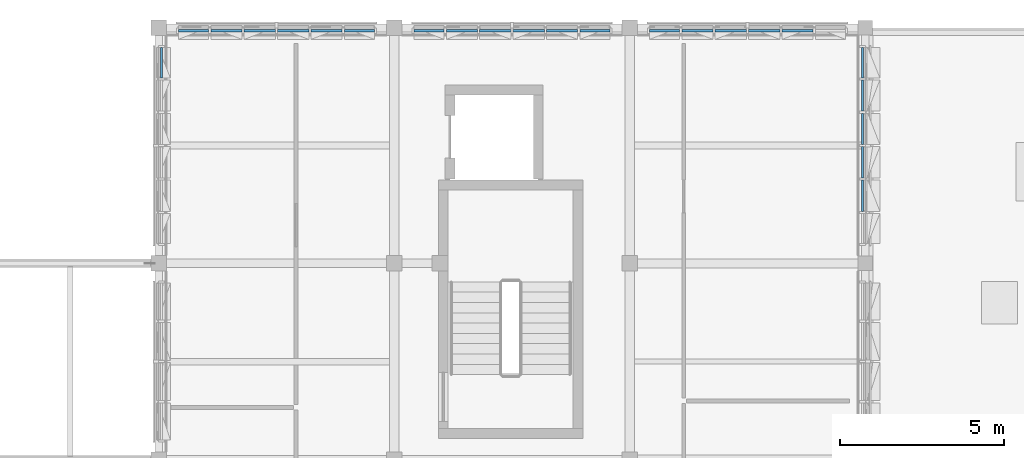
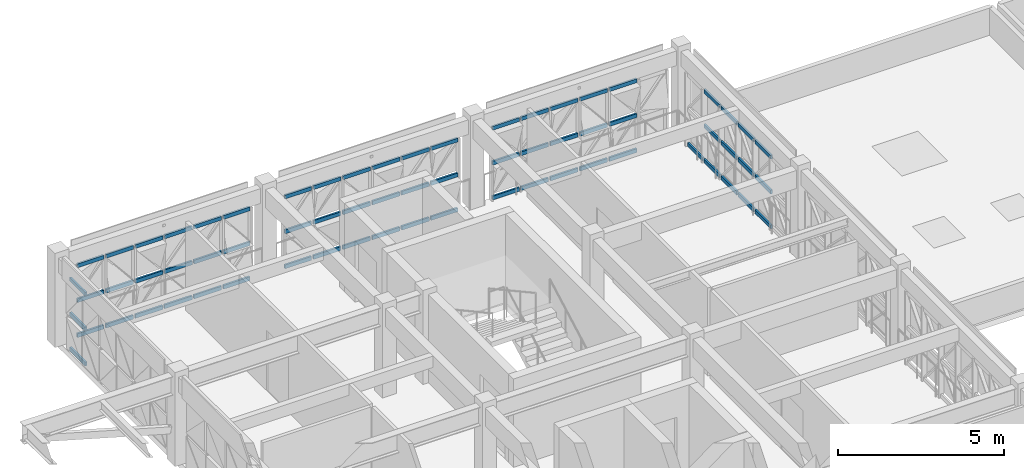
# One storey, part 10 of 30: 67 members, 5 elements without a shape of their own.
"""IFC4 building model written with IfcOpenShell, lengths in metres."""

from ifc_helpers import new_model, si_unit, direction, frame, origin, origin_2d, place, context, subcontext, project, spatial, rectangle, extrude, material, material_profile, profile_set, type_object, element, aggregate, save


model = new_model("IFC4")

# Units and contexts
model_context = context("Model", 3, precision=1e-05, world=origin(), true_north=direction((0.0, 1.0)))
body_context = subcontext(model_context, "Body", "Model", "MODEL_VIEW")
ifc_project = project(units=[si_unit("LENGTHUNIT", "METRE"), si_unit("AREAUNIT", "SQUARE_METRE"), si_unit("VOLUMEUNIT", "CUBIC_METRE"), si_unit("PLANEANGLEUNIT", "RADIAN"), si_unit("MASSUNIT", "GRAM", prefix="KILO")], contexts=[model_context])

# Site, building, storey
site_placement = place(None, origin())
site = spatial("IfcSite", under=ifc_project, at=site_placement, CompositionType="ELEMENT")
building_placement = place(site_placement, origin())
building = spatial("IfcBuilding", under=site, at=building_placement, Name="Alvorim Cloister Faculty of Sciences", CompositionType="ELEMENT")
storey_placement = place(building_placement, frame((0.0, 0.0, 26.25)))
storey = spatial("IfcBuildingStorey", under=building, at=storey_placement, Name="L07", CompositionType="ELEMENT", Elevation=26.25)

# Curtain wall, members
ifc_material_1 = material(Name="Aluminium and Low-E Glass Curtain Wall", Category="aluminium")
curtain_wall_type = type_object("IfcCurtainWallType", Name="CW-TRI-6120x2700", PredefinedType="USERDEFINED", material=ifc_material_1)
curtain_wall_1_placement = place(storey_placement, origin())
curtain_wall_1 = element("IfcCurtainWall", 1, at=curtain_wall_1_placement, inside=storey, type_object=curtain_wall_type, Name="L07 Diagonal Cassette Curtain Wall CW-0271", ObjectType="UNITISED CURTAIN WALL", PredefinedType="USERDEFINED")
ifc_material_2 = material(Name="Aluminium Alloy 6063-T6", Category="aluminium")
ifc_material_profile = material_profile(ifc_material_2, rectangle(XDim=0.06494140625, YDim=0.139892578125, at=origin_2d()), Name="ALU-TRN-65x140")
ifc_profile_set = profile_set([ifc_material_profile], Name="Aluminium Alloy 6063-T6")
member_type = type_object("IfcMemberType", Name="CW-TRN-65x140", PredefinedType="USERDEFINED", material=ifc_profile_set)
member_1_placement = place(storey_placement, frame((7.2900390625, 54.87255859375, 0.070068359375), z_axis=(0.0, 1.0, 0.0), x_axis=(-1.0, 0.0, 0.0)))
member_1 = element("IfcMember", 2, at=member_1_placement, type_object=member_type, Name="CW-0271 Transom 6.1", ObjectType="TRANSOM", PredefinedType="USERDEFINED", context=body_context, shape_type="SweptSolid", body=[
    extrude(rectangle(XDim=0.06494140625, YDim=0.139892578125, at=origin_2d()), origin(), (0.0, 0.0, 1.0), 0.92236328125),
])
member_2_placement = place(storey_placement, frame((7.2900390625, 54.87255859375, 1.35009765625), z_axis=(0.0, 1.0, 0.0), x_axis=(-1.0, 0.0, 0.0)))
member_2 = element("IfcMember", 3, at=member_2_placement, type_object=member_type, Name="CW-0271 Transom 6.2", ObjectType="TRANSOM", PredefinedType="USERDEFINED", context=body_context, shape_type="SweptSolid", body=[
    extrude(rectangle(XDim=0.06494140625, YDim=0.139892578125, at=origin_2d()), origin(), (0.0, 0.0, 1.0), 0.92236328125),
])
member_3_placement = place(storey_placement, frame((7.2900390625, 54.87255859375, 2.6298828125), z_axis=(0.0, 1.0, 0.0), x_axis=(-1.0, 0.0, 0.0)))
member_3 = element("IfcMember", 4, at=member_3_placement, type_object=member_type, Name="CW-0271 Transom 6.3", ObjectType="TRANSOM", PredefinedType="USERDEFINED", context=body_context, shape_type="SweptSolid", body=[
    extrude(rectangle(XDim=0.06494140625, YDim=0.139892578125, at=origin_2d()), origin(), (0.0, 0.0, 1.0), 0.92236328125),
])
aggregate(curtain_wall_1, [member_1, member_2, member_3])

curtain_wall_2_placement = place(storey_placement, origin())
curtain_wall_2 = element("IfcCurtainWall", 5, at=curtain_wall_2_placement, inside=storey, type_object=curtain_wall_type, Name="L07 Diagonal Cassette Curtain Wall CW-0272", ObjectType="UNITISED CURTAIN WALL", PredefinedType="USERDEFINED")
member_4_placement = place(storey_placement, frame((7.804931640625, 56.31005859375, 0.070068359375), z_axis=(1.0, 0.0, 0.0), x_axis=(0.0, 1.0, 0.0)))
member_4 = element("IfcMember", 6, at=member_4_placement, type_object=member_type, Name="CW-0272 Transom 1.1", ObjectType="TRANSOM", PredefinedType="USERDEFINED", context=body_context, shape_type="SweptSolid", body=[
    extrude(rectangle(XDim=0.06494140625, YDim=0.139892578125, at=origin_2d()), origin(), (0.0, 0.0, 1.0), 0.922607421875),
])
member_5_placement = place(storey_placement, frame((7.804931640625, 56.31005859375, 1.35009765625), z_axis=(1.0, 0.0, 0.0), x_axis=(0.0, 1.0, 0.0)))
member_5 = element("IfcMember", 7, at=member_5_placement, type_object=member_type, Name="CW-0272 Transom 1.2", ObjectType="TRANSOM", PredefinedType="USERDEFINED", context=body_context, shape_type="SweptSolid", body=[
    extrude(rectangle(XDim=0.06494140625, YDim=0.139892578125, at=origin_2d()), origin(), (0.0, 0.0, 1.0), 0.922607421875),
])
member_6_placement = place(storey_placement, frame((7.804931640625, 56.31005859375, 2.6298828125), z_axis=(1.0, 0.0, 0.0), x_axis=(0.0, 1.0, 0.0)))
member_6 = element("IfcMember", 8, at=member_6_placement, type_object=member_type, Name="CW-0272 Transom 1.3", ObjectType="TRANSOM", PredefinedType="USERDEFINED", context=body_context, shape_type="SweptSolid", body=[
    extrude(rectangle(XDim=0.06494140625, YDim=0.139892578125, at=origin_2d()), origin(), (0.0, 0.0, 1.0), 0.922607421875),
])
member_7_placement = place(storey_placement, frame((8.79248046875, 56.31005859375, 0.070068359375), z_axis=(1.0, 0.0, 0.0), x_axis=(0.0, 1.0, 0.0)))
member_7 = element("IfcMember", 9, at=member_7_placement, type_object=member_type, Name="CW-0272 Transom 2.1", ObjectType="TRANSOM", PredefinedType="USERDEFINED", context=body_context, shape_type="SweptSolid", body=[
    extrude(rectangle(XDim=0.06494140625, YDim=0.139892578125, at=origin_2d()), origin(), (0.0, 0.0, 1.0), 0.955078125),
])
member_8_placement = place(storey_placement, frame((8.79248046875, 56.31005859375, 1.35009765625), z_axis=(1.0, 0.0, 0.0), x_axis=(0.0, 1.0, 0.0)))
member_8 = element("IfcMember", 10, at=member_8_placement, type_object=member_type, Name="CW-0272 Transom 2.2", ObjectType="TRANSOM", PredefinedType="USERDEFINED", context=body_context, shape_type="SweptSolid", body=[
    extrude(rectangle(XDim=0.06494140625, YDim=0.139892578125, at=origin_2d()), origin(), (0.0, 0.0, 1.0), 0.955078125),
])
member_9_placement = place(storey_placement, frame((8.79248046875, 56.31005859375, 2.6298828125), z_axis=(1.0, 0.0, 0.0), x_axis=(0.0, 1.0, 0.0)))
member_9 = element("IfcMember", 11, at=member_9_placement, type_object=member_type, Name="CW-0272 Transom 2.3", ObjectType="TRANSOM", PredefinedType="USERDEFINED", context=body_context, shape_type="SweptSolid", body=[
    extrude(rectangle(XDim=0.06494140625, YDim=0.139892578125, at=origin_2d()), origin(), (0.0, 0.0, 1.0), 0.955078125),
])
member_10_placement = place(storey_placement, frame((9.8125, 56.31005859375, 0.070068359375), z_axis=(1.0, 0.0, 0.0), x_axis=(0.0, 1.0, 0.0)))
member_10 = element("IfcMember", 12, at=member_10_placement, type_object=member_type, Name="CW-0272 Transom 3.1", ObjectType="TRANSOM", PredefinedType="USERDEFINED", context=body_context, shape_type="SweptSolid", body=[
    extrude(rectangle(XDim=0.06494140625, YDim=0.139892578125, at=origin_2d()), origin(), (0.0, 0.0, 1.0), 0.955078125),
])
member_11_placement = place(storey_placement, frame((9.8125, 56.31005859375, 1.35009765625), z_axis=(1.0, 0.0, 0.0), x_axis=(0.0, 1.0, 0.0)))
member_11 = element("IfcMember", 13, at=member_11_placement, type_object=member_type, Name="CW-0272 Transom 3.2", ObjectType="TRANSOM", PredefinedType="USERDEFINED", context=body_context, shape_type="SweptSolid", body=[
    extrude(rectangle(XDim=0.06494140625, YDim=0.139892578125, at=origin_2d()), origin(), (0.0, 0.0, 1.0), 0.955078125),
])
member_12_placement = place(storey_placement, frame((9.8125, 56.31005859375, 2.6298828125), z_axis=(1.0, 0.0, 0.0), x_axis=(0.0, 1.0, 0.0)))
member_12 = element("IfcMember", 14, at=member_12_placement, type_object=member_type, Name="CW-0272 Transom 3.3", ObjectType="TRANSOM", PredefinedType="USERDEFINED", context=body_context, shape_type="SweptSolid", body=[
    extrude(rectangle(XDim=0.06494140625, YDim=0.139892578125, at=origin_2d()), origin(), (0.0, 0.0, 1.0), 0.955078125),
])
member_13_placement = place(storey_placement, frame((10.83251953125, 56.31005859375, 0.070068359375), z_axis=(1.0, 0.0, 0.0), x_axis=(0.0, 1.0, 0.0)))
member_13 = element("IfcMember", 15, at=member_13_placement, type_object=member_type, Name="CW-0272 Transom 4.1", ObjectType="TRANSOM", PredefinedType="USERDEFINED", context=body_context, shape_type="SweptSolid", body=[
    extrude(rectangle(XDim=0.06494140625, YDim=0.139892578125, at=origin_2d()), origin(), (0.0, 0.0, 1.0), 0.955078125),
])
member_14_placement = place(storey_placement, frame((10.83251953125, 56.31005859375, 1.35009765625), z_axis=(1.0, 0.0, 0.0), x_axis=(0.0, 1.0, 0.0)))
member_14 = element("IfcMember", 16, at=member_14_placement, type_object=member_type, Name="CW-0272 Transom 4.2", ObjectType="TRANSOM", PredefinedType="USERDEFINED", context=body_context, shape_type="SweptSolid", body=[
    extrude(rectangle(XDim=0.06494140625, YDim=0.139892578125, at=origin_2d()), origin(), (0.0, 0.0, 1.0), 0.955078125),
])
member_15_placement = place(storey_placement, frame((10.83251953125, 56.31005859375, 2.6298828125), z_axis=(1.0, 0.0, 0.0), x_axis=(0.0, 1.0, 0.0)))
member_15 = element("IfcMember", 17, at=member_15_placement, type_object=member_type, Name="CW-0272 Transom 4.3", ObjectType="TRANSOM", PredefinedType="USERDEFINED", context=body_context, shape_type="SweptSolid", body=[
    extrude(rectangle(XDim=0.06494140625, YDim=0.139892578125, at=origin_2d()), origin(), (0.0, 0.0, 1.0), 0.955078125),
])
member_16_placement = place(storey_placement, frame((11.8525390625, 56.31005859375, 0.070068359375), z_axis=(1.0, 0.0, 0.0), x_axis=(0.0, 1.0, 0.0)))
member_16 = element("IfcMember", 18, at=member_16_placement, type_object=member_type, Name="CW-0272 Transom 5.1", ObjectType="TRANSOM", PredefinedType="USERDEFINED", context=body_context, shape_type="SweptSolid", body=[
    extrude(rectangle(XDim=0.06494140625, YDim=0.139892578125, at=origin_2d()), origin(), (0.0, 0.0, 1.0), 0.955078125),
])
member_17_placement = place(storey_placement, frame((11.8525390625, 56.31005859375, 1.35009765625), z_axis=(1.0, 0.0, 0.0), x_axis=(0.0, 1.0, 0.0)))
member_17 = element("IfcMember", 19, at=member_17_placement, type_object=member_type, Name="CW-0272 Transom 5.2", ObjectType="TRANSOM", PredefinedType="USERDEFINED", context=body_context, shape_type="SweptSolid", body=[
    extrude(rectangle(XDim=0.06494140625, YDim=0.139892578125, at=origin_2d()), origin(), (0.0, 0.0, 1.0), 0.955078125),
])
member_18_placement = place(storey_placement, frame((11.8525390625, 56.31005859375, 2.6298828125), z_axis=(1.0, 0.0, 0.0), x_axis=(0.0, 1.0, 0.0)))
member_18 = element("IfcMember", 20, at=member_18_placement, type_object=member_type, Name="CW-0272 Transom 5.3", ObjectType="TRANSOM", PredefinedType="USERDEFINED", context=body_context, shape_type="SweptSolid", body=[
    extrude(rectangle(XDim=0.06494140625, YDim=0.139892578125, at=origin_2d()), origin(), (0.0, 0.0, 1.0), 0.955078125),
])
member_19_placement = place(storey_placement, frame((12.87255859375, 56.31005859375, 0.070068359375), z_axis=(1.0, 0.0, 0.0), x_axis=(0.0, 1.0, 0.0)))
member_19 = element("IfcMember", 21, at=member_19_placement, type_object=member_type, Name="CW-0272 Transom 6.1", ObjectType="TRANSOM", PredefinedType="USERDEFINED", context=body_context, shape_type="SweptSolid", body=[
    extrude(rectangle(XDim=0.06494140625, YDim=0.139892578125, at=origin_2d()), origin(), (0.0, 0.0, 1.0), 0.92236328125),
])
member_20_placement = place(storey_placement, frame((12.87255859375, 56.31005859375, 1.35009765625), z_axis=(1.0, 0.0, 0.0), x_axis=(0.0, 1.0, 0.0)))
member_20 = element("IfcMember", 22, at=member_20_placement, type_object=member_type, Name="CW-0272 Transom 6.2", ObjectType="TRANSOM", PredefinedType="USERDEFINED", context=body_context, shape_type="SweptSolid", body=[
    extrude(rectangle(XDim=0.06494140625, YDim=0.139892578125, at=origin_2d()), origin(), (0.0, 0.0, 1.0), 0.92236328125),
])
member_21_placement = place(storey_placement, frame((12.87255859375, 56.31005859375, 2.6298828125), z_axis=(1.0, 0.0, 0.0), x_axis=(0.0, 1.0, 0.0)))
member_21 = element("IfcMember", 23, at=member_21_placement, type_object=member_type, Name="CW-0272 Transom 6.3", ObjectType="TRANSOM", PredefinedType="USERDEFINED", context=body_context, shape_type="SweptSolid", body=[
    extrude(rectangle(XDim=0.06494140625, YDim=0.139892578125, at=origin_2d()), origin(), (0.0, 0.0, 1.0), 0.92236328125),
])
aggregate(curtain_wall_2, [member_4, member_5, member_6, member_7, member_8, member_9, member_10, member_11, member_12, member_13, member_14, member_15, member_16, member_17, member_18, member_19, member_20, member_21])

curtain_wall_3_placement = place(storey_placement, origin())
curtain_wall_3 = element("IfcCurtainWall", 24, at=curtain_wall_3_placement, inside=storey, type_object=curtain_wall_type, Name="L07 Diagonal Cassette Curtain Wall CW-0273", ObjectType="UNITISED CURTAIN WALL", PredefinedType="USERDEFINED")
member_22_placement = place(storey_placement, frame((15.0048828125, 56.31005859375, 0.070068359375), z_axis=(1.0, 0.0, 0.0), x_axis=(0.0, 1.0, 0.0)))
member_22 = element("IfcMember", 25, at=member_22_placement, type_object=member_type, Name="CW-0273 Transom 1.1", ObjectType="TRANSOM", PredefinedType="USERDEFINED", context=body_context, shape_type="SweptSolid", body=[
    extrude(rectangle(XDim=0.06494140625, YDim=0.139892578125, at=origin_2d()), origin(), (0.0, 0.0, 1.0), 0.922607421875),
])
member_23_placement = place(storey_placement, frame((15.0048828125, 56.31005859375, 1.35009765625), z_axis=(1.0, 0.0, 0.0), x_axis=(0.0, 1.0, 0.0)))
member_23 = element("IfcMember", 26, at=member_23_placement, type_object=member_type, Name="CW-0273 Transom 1.2", ObjectType="TRANSOM", PredefinedType="USERDEFINED", context=body_context, shape_type="SweptSolid", body=[
    extrude(rectangle(XDim=0.06494140625, YDim=0.139892578125, at=origin_2d()), origin(), (0.0, 0.0, 1.0), 0.922607421875),
])
member_24_placement = place(storey_placement, frame((15.0048828125, 56.31005859375, 2.6298828125), z_axis=(1.0, 0.0, 0.0), x_axis=(0.0, 1.0, 0.0)))
member_24 = element("IfcMember", 27, at=member_24_placement, type_object=member_type, Name="CW-0273 Transom 1.3", ObjectType="TRANSOM", PredefinedType="USERDEFINED", context=body_context, shape_type="SweptSolid", body=[
    extrude(rectangle(XDim=0.06494140625, YDim=0.139892578125, at=origin_2d()), origin(), (0.0, 0.0, 1.0), 0.922607421875),
])
member_25_placement = place(storey_placement, frame((15.992431640625, 56.31005859375, 0.070068359375), z_axis=(1.0, 0.0, 0.0), x_axis=(0.0, 1.0, 0.0)))
member_25 = element("IfcMember", 28, at=member_25_placement, type_object=member_type, Name="CW-0273 Transom 2.1", ObjectType="TRANSOM", PredefinedType="USERDEFINED", context=body_context, shape_type="SweptSolid", body=[
    extrude(rectangle(XDim=0.06494140625, YDim=0.139892578125, at=origin_2d()), origin(), (0.0, 0.0, 1.0), 0.955078125),
])
member_26_placement = place(storey_placement, frame((15.992431640625, 56.31005859375, 1.35009765625), z_axis=(1.0, 0.0, 0.0), x_axis=(0.0, 1.0, 0.0)))
member_26 = element("IfcMember", 29, at=member_26_placement, type_object=member_type, Name="CW-0273 Transom 2.2", ObjectType="TRANSOM", PredefinedType="USERDEFINED", context=body_context, shape_type="SweptSolid", body=[
    extrude(rectangle(XDim=0.06494140625, YDim=0.139892578125, at=origin_2d()), origin(), (0.0, 0.0, 1.0), 0.955078125),
])
member_27_placement = place(storey_placement, frame((15.992431640625, 56.31005859375, 2.6298828125), z_axis=(1.0, 0.0, 0.0), x_axis=(0.0, 1.0, 0.0)))
member_27 = element("IfcMember", 30, at=member_27_placement, type_object=member_type, Name="CW-0273 Transom 2.3", ObjectType="TRANSOM", PredefinedType="USERDEFINED", context=body_context, shape_type="SweptSolid", body=[
    extrude(rectangle(XDim=0.06494140625, YDim=0.139892578125, at=origin_2d()), origin(), (0.0, 0.0, 1.0), 0.955078125),
])
member_28_placement = place(storey_placement, frame((17.012451171875, 56.31005859375, 0.070068359375), z_axis=(1.0, 0.0, 0.0), x_axis=(0.0, 1.0, 0.0)))
member_28 = element("IfcMember", 31, at=member_28_placement, type_object=member_type, Name="CW-0273 Transom 3.1", ObjectType="TRANSOM", PredefinedType="USERDEFINED", context=body_context, shape_type="SweptSolid", body=[
    extrude(rectangle(XDim=0.06494140625, YDim=0.139892578125, at=origin_2d()), origin(), (0.0, 0.0, 1.0), 0.955078125),
])
member_29_placement = place(storey_placement, frame((17.012451171875, 56.31005859375, 1.35009765625), z_axis=(1.0, 0.0, 0.0), x_axis=(0.0, 1.0, 0.0)))
member_29 = element("IfcMember", 32, at=member_29_placement, type_object=member_type, Name="CW-0273 Transom 3.2", ObjectType="TRANSOM", PredefinedType="USERDEFINED", context=body_context, shape_type="SweptSolid", body=[
    extrude(rectangle(XDim=0.06494140625, YDim=0.139892578125, at=origin_2d()), origin(), (0.0, 0.0, 1.0), 0.955078125),
])
member_30_placement = place(storey_placement, frame((17.012451171875, 56.31005859375, 2.6298828125), z_axis=(1.0, 0.0, 0.0), x_axis=(0.0, 1.0, 0.0)))
member_30 = element("IfcMember", 33, at=member_30_placement, type_object=member_type, Name="CW-0273 Transom 3.3", ObjectType="TRANSOM", PredefinedType="USERDEFINED", context=body_context, shape_type="SweptSolid", body=[
    extrude(rectangle(XDim=0.06494140625, YDim=0.139892578125, at=origin_2d()), origin(), (0.0, 0.0, 1.0), 0.955078125),
])
member_31_placement = place(storey_placement, frame((18.032470703125, 56.31005859375, 0.070068359375), z_axis=(1.0, 0.0, 0.0), x_axis=(0.0, 1.0, 0.0)))
member_31 = element("IfcMember", 34, at=member_31_placement, type_object=member_type, Name="CW-0273 Transom 4.1", ObjectType="TRANSOM", PredefinedType="USERDEFINED", context=body_context, shape_type="SweptSolid", body=[
    extrude(rectangle(XDim=0.06494140625, YDim=0.139892578125, at=origin_2d()), origin(), (0.0, 0.0, 1.0), 0.955078125),
])
member_32_placement = place(storey_placement, frame((18.032470703125, 56.31005859375, 1.35009765625), z_axis=(1.0, 0.0, 0.0), x_axis=(0.0, 1.0, 0.0)))
member_32 = element("IfcMember", 35, at=member_32_placement, type_object=member_type, Name="CW-0273 Transom 4.2", ObjectType="TRANSOM", PredefinedType="USERDEFINED", context=body_context, shape_type="SweptSolid", body=[
    extrude(rectangle(XDim=0.06494140625, YDim=0.139892578125, at=origin_2d()), origin(), (0.0, 0.0, 1.0), 0.955078125),
])
member_33_placement = place(storey_placement, frame((18.032470703125, 56.31005859375, 2.6298828125), z_axis=(1.0, 0.0, 0.0), x_axis=(0.0, 1.0, 0.0)))
member_33 = element("IfcMember", 36, at=member_33_placement, type_object=member_type, Name="CW-0273 Transom 4.3", ObjectType="TRANSOM", PredefinedType="USERDEFINED", context=body_context, shape_type="SweptSolid", body=[
    extrude(rectangle(XDim=0.06494140625, YDim=0.139892578125, at=origin_2d()), origin(), (0.0, 0.0, 1.0), 0.955078125),
])
member_34_placement = place(storey_placement, frame((19.052490234375, 56.31005859375, 0.070068359375), z_axis=(1.0, 0.0, 0.0), x_axis=(0.0, 1.0, 0.0)))
member_34 = element("IfcMember", 37, at=member_34_placement, type_object=member_type, Name="CW-0273 Transom 5.1", ObjectType="TRANSOM", PredefinedType="USERDEFINED", context=body_context, shape_type="SweptSolid", body=[
    extrude(rectangle(XDim=0.06494140625, YDim=0.139892578125, at=origin_2d()), origin(), (0.0, 0.0, 1.0), 0.955078125),
])
member_35_placement = place(storey_placement, frame((19.052490234375, 56.31005859375, 1.35009765625), z_axis=(1.0, 0.0, 0.0), x_axis=(0.0, 1.0, 0.0)))
member_35 = element("IfcMember", 38, at=member_35_placement, type_object=member_type, Name="CW-0273 Transom 5.2", ObjectType="TRANSOM", PredefinedType="USERDEFINED", context=body_context, shape_type="SweptSolid", body=[
    extrude(rectangle(XDim=0.06494140625, YDim=0.139892578125, at=origin_2d()), origin(), (0.0, 0.0, 1.0), 0.955078125),
])
member_36_placement = place(storey_placement, frame((19.052490234375, 56.31005859375, 2.6298828125), z_axis=(1.0, 0.0, 0.0), x_axis=(0.0, 1.0, 0.0)))
member_36 = element("IfcMember", 39, at=member_36_placement, type_object=member_type, Name="CW-0273 Transom 5.3", ObjectType="TRANSOM", PredefinedType="USERDEFINED", context=body_context, shape_type="SweptSolid", body=[
    extrude(rectangle(XDim=0.06494140625, YDim=0.139892578125, at=origin_2d()), origin(), (0.0, 0.0, 1.0), 0.955078125),
])
member_37_placement = place(storey_placement, frame((20.072509765625, 56.31005859375, 0.070068359375), z_axis=(1.0, 0.0, 0.0), x_axis=(0.0, 1.0, 0.0)))
member_37 = element("IfcMember", 40, at=member_37_placement, type_object=member_type, Name="CW-0273 Transom 6.1", ObjectType="TRANSOM", PredefinedType="USERDEFINED", context=body_context, shape_type="SweptSolid", body=[
    extrude(rectangle(XDim=0.06494140625, YDim=0.139892578125, at=origin_2d()), origin(), (0.0, 0.0, 1.0), 0.922607421875),
])
member_38_placement = place(storey_placement, frame((20.072509765625, 56.31005859375, 1.35009765625), z_axis=(1.0, 0.0, 0.0), x_axis=(0.0, 1.0, 0.0)))
member_38 = element("IfcMember", 41, at=member_38_placement, type_object=member_type, Name="CW-0273 Transom 6.2", ObjectType="TRANSOM", PredefinedType="USERDEFINED", context=body_context, shape_type="SweptSolid", body=[
    extrude(rectangle(XDim=0.06494140625, YDim=0.139892578125, at=origin_2d()), origin(), (0.0, 0.0, 1.0), 0.922607421875),
])
member_39_placement = place(storey_placement, frame((20.072509765625, 56.31005859375, 2.6298828125), z_axis=(1.0, 0.0, 0.0), x_axis=(0.0, 1.0, 0.0)))
member_39 = element("IfcMember", 42, at=member_39_placement, type_object=member_type, Name="CW-0273 Transom 6.3", ObjectType="TRANSOM", PredefinedType="USERDEFINED", context=body_context, shape_type="SweptSolid", body=[
    extrude(rectangle(XDim=0.06494140625, YDim=0.139892578125, at=origin_2d()), origin(), (0.0, 0.0, 1.0), 0.922607421875),
])
aggregate(curtain_wall_3, [member_22, member_23, member_24, member_25, member_26, member_27, member_28, member_29, member_30, member_31, member_32, member_33, member_34, member_35, member_36, member_37, member_38, member_39])

curtain_wall_4_placement = place(storey_placement, origin())
curtain_wall_4 = element("IfcCurtainWall", 43, at=curtain_wall_4_placement, inside=storey, type_object=curtain_wall_type, Name="L07 Diagonal Cassette Curtain Wall CW-0274", ObjectType="UNITISED CURTAIN WALL", PredefinedType="USERDEFINED")
member_40_placement = place(storey_placement, frame((22.205078125, 56.31005859375, 0.070068359375), z_axis=(1.0, 0.0, 0.0), x_axis=(0.0, 1.0, 0.0)))
member_40 = element("IfcMember", 44, at=member_40_placement, type_object=member_type, Name="CW-0274 Transom 1.1", ObjectType="TRANSOM", PredefinedType="USERDEFINED", context=body_context, shape_type="SweptSolid", body=[
    extrude(rectangle(XDim=0.06494140625, YDim=0.139892578125, at=origin_2d()), origin(), (0.0, 0.0, 1.0), 0.92236328125),
])
member_41_placement = place(storey_placement, frame((22.205078125, 56.31005859375, 1.35009765625), z_axis=(1.0, 0.0, 0.0), x_axis=(0.0, 1.0, 0.0)))
member_41 = element("IfcMember", 45, at=member_41_placement, type_object=member_type, Name="CW-0274 Transom 1.2", ObjectType="TRANSOM", PredefinedType="USERDEFINED", context=body_context, shape_type="SweptSolid", body=[
    extrude(rectangle(XDim=0.06494140625, YDim=0.139892578125, at=origin_2d()), origin(), (0.0, 0.0, 1.0), 0.92236328125),
])
member_42_placement = place(storey_placement, frame((22.205078125, 56.31005859375, 2.6298828125), z_axis=(1.0, 0.0, 0.0), x_axis=(0.0, 1.0, 0.0)))
member_42 = element("IfcMember", 46, at=member_42_placement, type_object=member_type, Name="CW-0274 Transom 1.3", ObjectType="TRANSOM", PredefinedType="USERDEFINED", context=body_context, shape_type="SweptSolid", body=[
    extrude(rectangle(XDim=0.06494140625, YDim=0.139892578125, at=origin_2d()), origin(), (0.0, 0.0, 1.0), 0.92236328125),
])
member_43_placement = place(storey_placement, frame((23.1923828125, 56.31005859375, 0.070068359375), z_axis=(1.0, 0.0, 0.0), x_axis=(0.0, 1.0, 0.0)))
member_43 = element("IfcMember", 47, at=member_43_placement, type_object=member_type, Name="CW-0274 Transom 2.1", ObjectType="TRANSOM", PredefinedType="USERDEFINED", context=body_context, shape_type="SweptSolid", body=[
    extrude(rectangle(XDim=0.06494140625, YDim=0.139892578125, at=origin_2d()), origin(), (0.0, 0.0, 1.0), 0.955078125),
])
member_44_placement = place(storey_placement, frame((23.1923828125, 56.31005859375, 1.35009765625), z_axis=(1.0, 0.0, 0.0), x_axis=(0.0, 1.0, 0.0)))
member_44 = element("IfcMember", 48, at=member_44_placement, type_object=member_type, Name="CW-0274 Transom 2.2", ObjectType="TRANSOM", PredefinedType="USERDEFINED", context=body_context, shape_type="SweptSolid", body=[
    extrude(rectangle(XDim=0.06494140625, YDim=0.139892578125, at=origin_2d()), origin(), (0.0, 0.0, 1.0), 0.955078125),
])
member_45_placement = place(storey_placement, frame((23.1923828125, 56.31005859375, 2.6298828125), z_axis=(1.0, 0.0, 0.0), x_axis=(0.0, 1.0, 0.0)))
member_45 = element("IfcMember", 49, at=member_45_placement, type_object=member_type, Name="CW-0274 Transom 2.3", ObjectType="TRANSOM", PredefinedType="USERDEFINED", context=body_context, shape_type="SweptSolid", body=[
    extrude(rectangle(XDim=0.06494140625, YDim=0.139892578125, at=origin_2d()), origin(), (0.0, 0.0, 1.0), 0.955078125),
])
member_46_placement = place(storey_placement, frame((24.21240234375, 56.31005859375, 0.070068359375), z_axis=(1.0, 0.0, 0.0), x_axis=(0.0, 1.0, 0.0)))
member_46 = element("IfcMember", 50, at=member_46_placement, type_object=member_type, Name="CW-0274 Transom 3.1", ObjectType="TRANSOM", PredefinedType="USERDEFINED", context=body_context, shape_type="SweptSolid", body=[
    extrude(rectangle(XDim=0.06494140625, YDim=0.139892578125, at=origin_2d()), origin(), (0.0, 0.0, 1.0), 0.955078125),
])
member_47_placement = place(storey_placement, frame((24.21240234375, 56.31005859375, 1.35009765625), z_axis=(1.0, 0.0, 0.0), x_axis=(0.0, 1.0, 0.0)))
member_47 = element("IfcMember", 51, at=member_47_placement, type_object=member_type, Name="CW-0274 Transom 3.2", ObjectType="TRANSOM", PredefinedType="USERDEFINED", context=body_context, shape_type="SweptSolid", body=[
    extrude(rectangle(XDim=0.06494140625, YDim=0.139892578125, at=origin_2d()), origin(), (0.0, 0.0, 1.0), 0.955078125),
])
member_48_placement = place(storey_placement, frame((24.21240234375, 56.31005859375, 2.6298828125), z_axis=(1.0, 0.0, 0.0), x_axis=(0.0, 1.0, 0.0)))
member_48 = element("IfcMember", 52, at=member_48_placement, type_object=member_type, Name="CW-0274 Transom 3.3", ObjectType="TRANSOM", PredefinedType="USERDEFINED", context=body_context, shape_type="SweptSolid", body=[
    extrude(rectangle(XDim=0.06494140625, YDim=0.139892578125, at=origin_2d()), origin(), (0.0, 0.0, 1.0), 0.955078125),
])
member_49_placement = place(storey_placement, frame((25.232421875, 56.31005859375, 0.070068359375), z_axis=(1.0, 0.0, 0.0), x_axis=(0.0, 1.0, 0.0)))
member_49 = element("IfcMember", 53, at=member_49_placement, type_object=member_type, Name="CW-0274 Transom 4.1", ObjectType="TRANSOM", PredefinedType="USERDEFINED", context=body_context, shape_type="SweptSolid", body=[
    extrude(rectangle(XDim=0.06494140625, YDim=0.139892578125, at=origin_2d()), origin(), (0.0, 0.0, 1.0), 0.955078125),
])
member_50_placement = place(storey_placement, frame((25.232421875, 56.31005859375, 1.35009765625), z_axis=(1.0, 0.0, 0.0), x_axis=(0.0, 1.0, 0.0)))
member_50 = element("IfcMember", 54, at=member_50_placement, type_object=member_type, Name="CW-0274 Transom 4.2", ObjectType="TRANSOM", PredefinedType="USERDEFINED", context=body_context, shape_type="SweptSolid", body=[
    extrude(rectangle(XDim=0.06494140625, YDim=0.139892578125, at=origin_2d()), origin(), (0.0, 0.0, 1.0), 0.955078125),
])
member_51_placement = place(storey_placement, frame((25.232421875, 56.31005859375, 2.6298828125), z_axis=(1.0, 0.0, 0.0), x_axis=(0.0, 1.0, 0.0)))
member_51 = element("IfcMember", 55, at=member_51_placement, type_object=member_type, Name="CW-0274 Transom 4.3", ObjectType="TRANSOM", PredefinedType="USERDEFINED", context=body_context, shape_type="SweptSolid", body=[
    extrude(rectangle(XDim=0.06494140625, YDim=0.139892578125, at=origin_2d()), origin(), (0.0, 0.0, 1.0), 0.955078125),
])
member_52_placement = place(storey_placement, frame((26.25244140625, 56.31005859375, 0.070068359375), z_axis=(1.0, 0.0, 0.0), x_axis=(0.0, 1.0, 0.0)))
member_52 = element("IfcMember", 56, at=member_52_placement, type_object=member_type, Name="CW-0274 Transom 5.1", ObjectType="TRANSOM", PredefinedType="USERDEFINED", context=body_context, shape_type="SweptSolid", body=[
    extrude(rectangle(XDim=0.06494140625, YDim=0.139892578125, at=origin_2d()), origin(), (0.0, 0.0, 1.0), 0.955078125),
])
member_53_placement = place(storey_placement, frame((26.25244140625, 56.31005859375, 1.35009765625), z_axis=(1.0, 0.0, 0.0), x_axis=(0.0, 1.0, 0.0)))
member_53 = element("IfcMember", 57, at=member_53_placement, type_object=member_type, Name="CW-0274 Transom 5.2", ObjectType="TRANSOM", PredefinedType="USERDEFINED", context=body_context, shape_type="SweptSolid", body=[
    extrude(rectangle(XDim=0.06494140625, YDim=0.139892578125, at=origin_2d()), origin(), (0.0, 0.0, 1.0), 0.955078125),
])
member_54_placement = place(storey_placement, frame((26.25244140625, 56.31005859375, 2.6298828125), z_axis=(1.0, 0.0, 0.0), x_axis=(0.0, 1.0, 0.0)))
member_54 = element("IfcMember", 58, at=member_54_placement, type_object=member_type, Name="CW-0274 Transom 5.3", ObjectType="TRANSOM", PredefinedType="USERDEFINED", context=body_context, shape_type="SweptSolid", body=[
    extrude(rectangle(XDim=0.06494140625, YDim=0.139892578125, at=origin_2d()), origin(), (0.0, 0.0, 1.0), 0.955078125),
])
aggregate(curtain_wall_4, [member_40, member_41, member_42, member_43, member_44, member_45, member_46, member_47, member_48, member_49, member_50, member_51, member_52, member_53, member_54])

curtain_wall_5_placement = place(storey_placement, origin())
curtain_wall_5 = element("IfcCurtainWall", 59, at=curtain_wall_5_placement, inside=storey, type_object=curtain_wall_type, Name="L07 Diagonal Cassette Curtain Wall CW-0275", ObjectType="UNITISED CURTAIN WALL", PredefinedType="USERDEFINED")
member_55_placement = place(storey_placement, frame((28.7099609375, 50.79248046875, 0.070068359375), z_axis=(0.0, 1.0, 0.0), x_axis=(-1.0, 0.0, 0.0)))
member_55 = element("IfcMember", 60, at=member_55_placement, type_object=member_type, Name="CW-0275 Transom 2.1", ObjectType="TRANSOM", PredefinedType="USERDEFINED", context=body_context, shape_type="SweptSolid", body=[
    extrude(rectangle(XDim=0.06494140625, YDim=0.139892578125, at=origin_2d()), origin(), (0.0, 0.0, 1.0), 0.955078125),
])
member_56_placement = place(storey_placement, frame((28.7099609375, 50.79248046875, 1.35009765625), z_axis=(0.0, 1.0, 0.0), x_axis=(-1.0, 0.0, 0.0)))
member_56 = element("IfcMember", 61, at=member_56_placement, type_object=member_type, Name="CW-0275 Transom 2.2", ObjectType="TRANSOM", PredefinedType="USERDEFINED", context=body_context, shape_type="SweptSolid", body=[
    extrude(rectangle(XDim=0.06494140625, YDim=0.139892578125, at=origin_2d()), origin(), (0.0, 0.0, 1.0), 0.955078125),
])
member_57_placement = place(storey_placement, frame((28.7099609375, 50.79248046875, 2.6298828125), z_axis=(0.0, 1.0, 0.0), x_axis=(-1.0, 0.0, 0.0)))
member_57 = element("IfcMember", 62, at=member_57_placement, type_object=member_type, Name="CW-0275 Transom 2.3", ObjectType="TRANSOM", PredefinedType="USERDEFINED", context=body_context, shape_type="SweptSolid", body=[
    extrude(rectangle(XDim=0.06494140625, YDim=0.139892578125, at=origin_2d()), origin(), (0.0, 0.0, 1.0), 0.955078125),
])
member_58_placement = place(storey_placement, frame((28.7099609375, 51.8125, 0.070068359375), z_axis=(0.0, 1.0, 0.0), x_axis=(-1.0, 0.0, 0.0)))
member_58 = element("IfcMember", 63, at=member_58_placement, type_object=member_type, Name="CW-0275 Transom 3.1", ObjectType="TRANSOM", PredefinedType="USERDEFINED", context=body_context, shape_type="SweptSolid", body=[
    extrude(rectangle(XDim=0.06494140625, YDim=0.139892578125, at=origin_2d()), origin(), (0.0, 0.0, 1.0), 0.955078125),
])
member_59_placement = place(storey_placement, frame((28.7099609375, 51.8125, 1.35009765625), z_axis=(0.0, 1.0, 0.0), x_axis=(-1.0, 0.0, 0.0)))
member_59 = element("IfcMember", 64, at=member_59_placement, type_object=member_type, Name="CW-0275 Transom 3.2", ObjectType="TRANSOM", PredefinedType="USERDEFINED", context=body_context, shape_type="SweptSolid", body=[
    extrude(rectangle(XDim=0.06494140625, YDim=0.139892578125, at=origin_2d()), origin(), (0.0, 0.0, 1.0), 0.955078125),
])
member_60_placement = place(storey_placement, frame((28.7099609375, 51.8125, 2.6298828125), z_axis=(0.0, 1.0, 0.0), x_axis=(-1.0, 0.0, 0.0)))
member_60 = element("IfcMember", 65, at=member_60_placement, type_object=member_type, Name="CW-0275 Transom 3.3", ObjectType="TRANSOM", PredefinedType="USERDEFINED", context=body_context, shape_type="SweptSolid", body=[
    extrude(rectangle(XDim=0.06494140625, YDim=0.139892578125, at=origin_2d()), origin(), (0.0, 0.0, 1.0), 0.955078125),
])
member_61_placement = place(storey_placement, frame((28.7099609375, 52.83251953125, 0.070068359375), z_axis=(0.0, 1.0, 0.0), x_axis=(-1.0, 0.0, 0.0)))
member_61 = element("IfcMember", 66, at=member_61_placement, type_object=member_type, Name="CW-0275 Transom 4.1", ObjectType="TRANSOM", PredefinedType="USERDEFINED", context=body_context, shape_type="SweptSolid", body=[
    extrude(rectangle(XDim=0.06494140625, YDim=0.139892578125, at=origin_2d()), origin(), (0.0, 0.0, 1.0), 0.955078125),
])
member_62_placement = place(storey_placement, frame((28.7099609375, 52.83251953125, 1.35009765625), z_axis=(0.0, 1.0, 0.0), x_axis=(-1.0, 0.0, 0.0)))
member_62 = element("IfcMember", 67, at=member_62_placement, type_object=member_type, Name="CW-0275 Transom 4.2", ObjectType="TRANSOM", PredefinedType="USERDEFINED", context=body_context, shape_type="SweptSolid", body=[
    extrude(rectangle(XDim=0.06494140625, YDim=0.139892578125, at=origin_2d()), origin(), (0.0, 0.0, 1.0), 0.955078125),
])
member_63_placement = place(storey_placement, frame((28.7099609375, 52.83251953125, 2.6298828125), z_axis=(0.0, 1.0, 0.0), x_axis=(-1.0, 0.0, 0.0)))
member_63 = element("IfcMember", 68, at=member_63_placement, type_object=member_type, Name="CW-0275 Transom 4.3", ObjectType="TRANSOM", PredefinedType="USERDEFINED", context=body_context, shape_type="SweptSolid", body=[
    extrude(rectangle(XDim=0.06494140625, YDim=0.139892578125, at=origin_2d()), origin(), (0.0, 0.0, 1.0), 0.955078125),
])
member_64_placement = place(storey_placement, frame((28.7099609375, 53.8525390625, 0.070068359375), z_axis=(0.0, 1.0, 0.0), x_axis=(-1.0, 0.0, 0.0)))
member_64 = element("IfcMember", 69, at=member_64_placement, type_object=member_type, Name="CW-0275 Transom 5.1", ObjectType="TRANSOM", PredefinedType="USERDEFINED", context=body_context, shape_type="SweptSolid", body=[
    extrude(rectangle(XDim=0.06494140625, YDim=0.139892578125, at=origin_2d()), origin(), (0.0, 0.0, 1.0), 0.955078125),
])
member_65_placement = place(storey_placement, frame((28.7099609375, 53.8525390625, 1.35009765625), z_axis=(0.0, 1.0, 0.0), x_axis=(-1.0, 0.0, 0.0)))
member_65 = element("IfcMember", 70, at=member_65_placement, type_object=member_type, Name="CW-0275 Transom 5.2", ObjectType="TRANSOM", PredefinedType="USERDEFINED", context=body_context, shape_type="SweptSolid", body=[
    extrude(rectangle(XDim=0.06494140625, YDim=0.139892578125, at=origin_2d()), origin(), (0.0, 0.0, 1.0), 0.955078125),
])
member_66_placement = place(storey_placement, frame((28.7099609375, 53.8525390625, 2.6298828125), z_axis=(0.0, 1.0, 0.0), x_axis=(-1.0, 0.0, 0.0)))
member_66 = element("IfcMember", 71, at=member_66_placement, type_object=member_type, Name="CW-0275 Transom 5.3", ObjectType="TRANSOM", PredefinedType="USERDEFINED", context=body_context, shape_type="SweptSolid", body=[
    extrude(rectangle(XDim=0.06494140625, YDim=0.139892578125, at=origin_2d()), origin(), (0.0, 0.0, 1.0), 0.955078125),
])
member_67_placement = place(storey_placement, frame((28.7099609375, 54.87255859375, 0.070068359375), z_axis=(0.0, 1.0, 0.0), x_axis=(-1.0, 0.0, 0.0)))
member_67 = element("IfcMember", 72, at=member_67_placement, type_object=member_type, Name="CW-0275 Transom 6.1", ObjectType="TRANSOM", PredefinedType="USERDEFINED", context=body_context, shape_type="SweptSolid", body=[
    extrude(rectangle(XDim=0.06494140625, YDim=0.139892578125, at=origin_2d()), origin(), (0.0, 0.0, 1.0), 0.92236328125),
])
aggregate(curtain_wall_5, [member_55, member_56, member_57, member_58, member_59, member_60, member_61, member_62, member_63, member_64, member_65, member_66, member_67])

save(model, "model.ifc")
